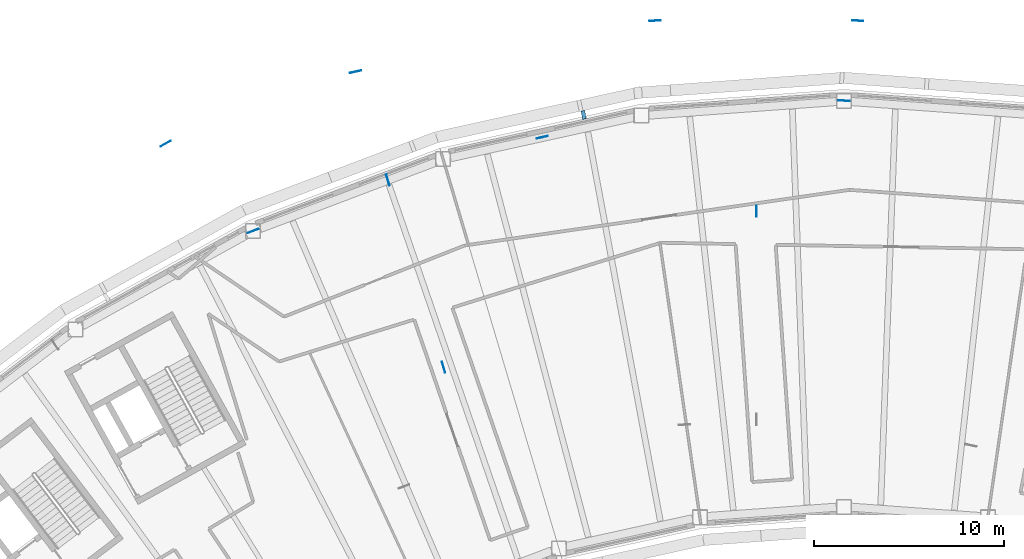
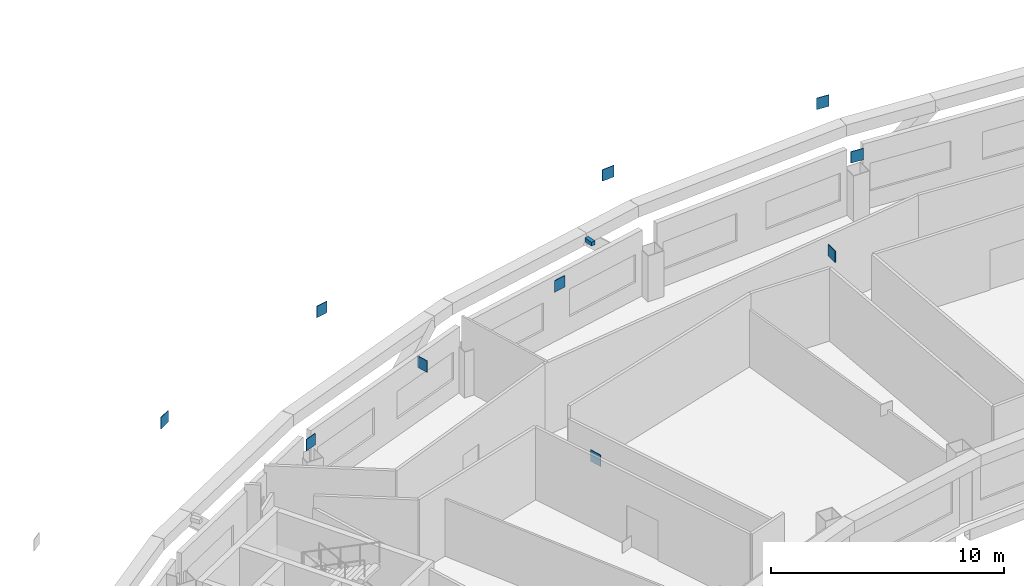
# One storey, part 14 of 21: 11 discrete accessories.
"""IFC4 building model written with IfcOpenShell, lengths in metres."""

from ifc_helpers import new_model, si_unit, direction, frame, origin, origin_2d, place, context, subcontext, project, spatial, rectangle, extrude, material, type_object, element, save


model = new_model("IFC4")

# Units and contexts
model_context = context("Model", 3, precision=1e-05, world=origin(), true_north=direction((0.0, 1.0)))
body_context = subcontext(model_context, "Body", "Model", "MODEL_VIEW")
ifc_project = project(units=[si_unit("LENGTHUNIT", "METRE"), si_unit("AREAUNIT", "SQUARE_METRE"), si_unit("VOLUMEUNIT", "CUBIC_METRE"), si_unit("PLANEANGLEUNIT", "RADIAN"), si_unit("MASSUNIT", "GRAM", prefix="KILO")], contexts=[model_context])

# Site, building, storey
site_placement = place(None, origin())
site = spatial("IfcSite", under=ifc_project, at=site_placement, CompositionType="ELEMENT")
building_placement = place(site_placement, origin())
building = spatial("IfcBuilding", under=site, at=building_placement, Name="Tuul Gate Civic Tower", CompositionType="ELEMENT")
storey_placement = place(building_placement, frame((0.0, 0.0, 311.0)))
storey = spatial("IfcBuildingStorey", under=building, at=storey_placement, Name="Level 70", CompositionType="ELEMENT", Elevation=311.0)

# Discrete accessories
ifc_material_1 = material(Name="Steel S355", Category="steel")
discrete_accessory_type_1 = type_object("IfcDiscreteAccessoryType", Name="Gusset plate", PredefinedType="BRACKET", material=ifc_material_1)
for number, where, z_axis, x_axis, name in (
    (1, (-17.189453125, 5.063720703125, 2.79638671875), (0.0, 0.0, 1.0), (-0.285224909945, 0.958460615126, 0.0), "Gusset plate"),
    (2, (2.19189453125, 3.423095703125, 2.796875), (0.0, 0.0, 1.0), (0.0, 1.0, 0.0), "Gusset plate"),
    (3, (-14.259521484375, -4.78515625, 2.796630859375), (0.0, 0.0, 1.0), (-0.285224909945, 0.958460615126, 0.0), "Gusset plate"),
    (4, (-24.27587890625, 2.38525390625, 2.79638671875), (0.0, 0.0, 1.0), (0.935355774535, 0.353708319162, 0.0), "Gusset plate"),
    (5, (-18.885009765625, 10.75830078125, 2.796630859375), (0.0, 0.0, 1.0), (0.976568946286, 0.215204770275, 0.0), "Gusset plate"),
    (6, (6.787841796875, 9.232177734375, 2.796630859375), (0.0, 0.0, 1.0), (0.997383034413, -0.072298566141, 0.0), "Gusset plate"),
    (7, (-9.074462890625, 7.31103515625, 2.796630859375), (0.0, 0.0, 1.0), (0.976564607871, 0.215224456448, 0.0), "Gusset plate"),
    (8, (-28.8720703125, 6.982177734375, 2.796630859375), (0.0, 0.0, 1.0), (-0.874585469632, -0.484871381202, 0.0), "Gusset plate"),
    (9, (-3.132568359375, 13.44189453125, 2.796630859375), (0.0, 0.0, 1.0), (0.997382544793, 0.072305320295, 0.0), "Gusset plate"),
    (10, (7.5166015625, 13.44189453125, 2.796630859375), (0.0, 0.0, 1.0), (0.997382544793, -0.072305320295, 0.0), "Gusset plate"),
):
    element("IfcDiscreteAccessory", number, at=place(storey_placement, frame(where, z_axis=z_axis, x_axis=x_axis)), inside=storey, type_object=discrete_accessory_type_1, Name=name, PredefinedType="BRACKET", context=body_context, shape_type="SweptSolid", body=[
        extrude(rectangle(XDim=0.60009765625, YDim=0.030029296875, at=origin_2d()), origin(), (0.0, 0.0, 1.0), 0.60009765625),
    ])
ifc_material_2 = material(Name="Stainless steel", Category="steel")
discrete_accessory_type_2 = type_object("IfcDiscreteAccessoryType", Name="Screen bracket", PredefinedType="BRACKET", material=ifc_material_2)
discrete_accessory_placement = place(storey_placement, frame((-6.893798828125, 8.4833984375, 3.75), z_axis=(0.0, 0.0, 1.0), x_axis=(-0.183855279168, 0.982953323572, 0.0)))
element("IfcDiscreteAccessory", 11, at=discrete_accessory_placement, inside=storey, type_object=discrete_accessory_type_2, Name="Screen bracket 11", PredefinedType="BRACKET", context=body_context, shape_type="SweptSolid", body=[
    extrude(rectangle(XDim=0.4501953125, YDim=0.199951171875, at=origin_2d()), origin(), (0.0, 0.0, 1.0), 0.199951171875),
])

save(model, "model.ifc")
